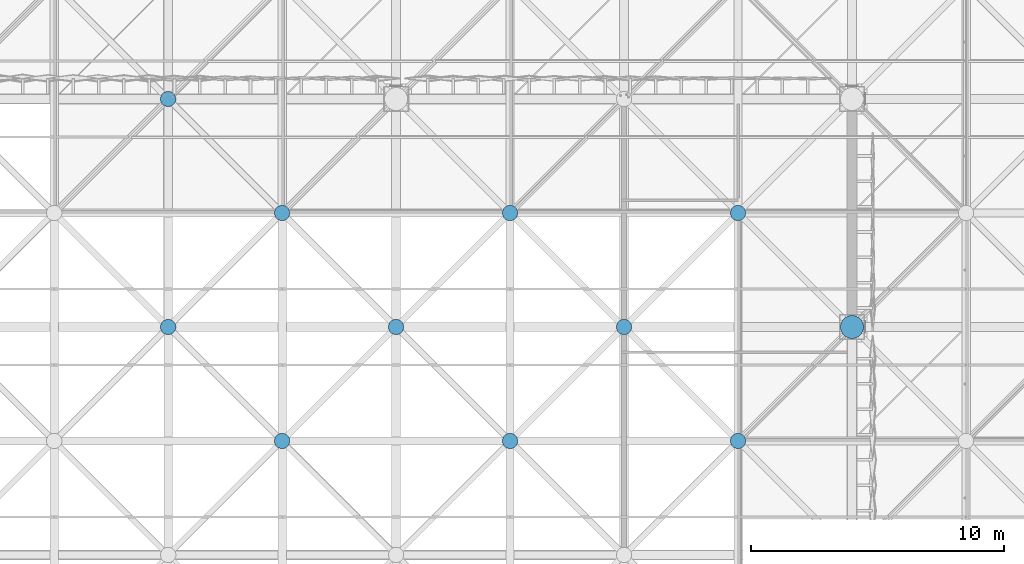
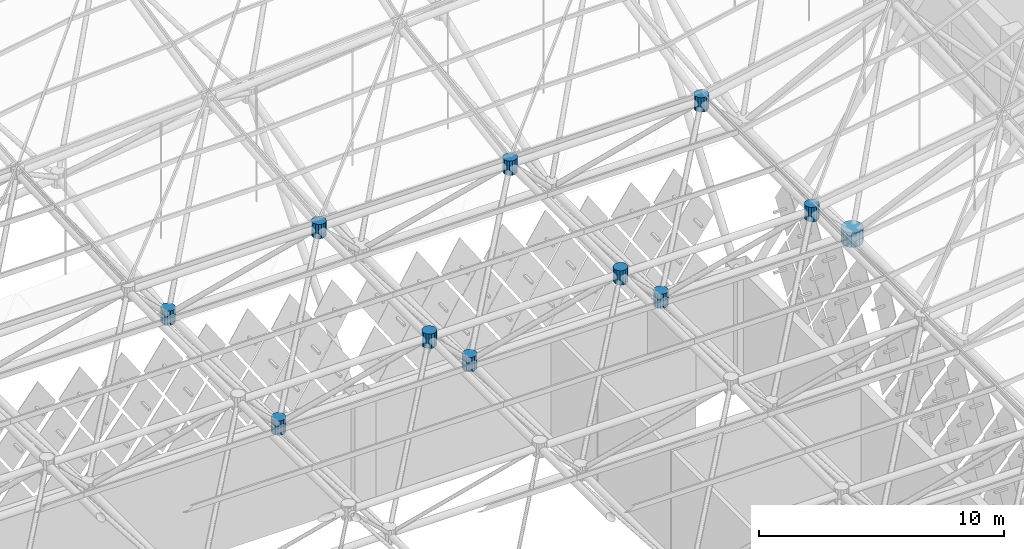
# One storey, part 331 of 437: 11 discrete accessories.
"""IFC4 building model written with IfcOpenShell, lengths in metres."""

import ifcopenshell
import ifcopenshell.guid

model = None  # the IFC model being written
_history = None  # IfcOwnerHistory: only IFC2X3 demands one
_inside = {}  # id of a spatial element -> (the spatial element, [elements in it])
_under = {}  # id of a project, library or spatial element -> (it, [spatial elements below it])
_declared = {}  # id of a project -> (the project, [libraries it declares])
_typed = {}  # id of a type object -> (the type object, [elements of that type])
_made_of = {}  # id of a material, layer set ... -> (it, [elements and type objects made of it])


def new_model(schema):
    """Start an empty IFC model of exactly this schema.

    Asked for "IFC4X3", IfcOpenShell would pick the latest addendum, in which some entities
    have other attributes; the version numbers below select the first issue.
    IFC2X3 requires an IfcOwnerHistory on every rooted entity: one is made here for all.
    """
    global model, _history
    if schema == "IFC4X3":
        model = ifcopenshell.file(schema_version=(4, 3, 0, 0))
    else:
        model = ifcopenshell.file(schema=schema)
    _inside.clear()
    _under.clear()
    _declared.clear()
    _typed.clear()
    _made_of.clear()
    _history = None
    if model.schema == "IFC2X3":
        org = make("IfcOrganization", Name="unknown")
        user = make(
            "IfcPersonAndOrganization",
            ThePerson=make("IfcPerson", FamilyName="unknown"),
            TheOrganization=org,
        )
        app = make(
            "IfcApplication",
            ApplicationDeveloper=org,
            Version="unknown",
            ApplicationFullName="unknown",
            ApplicationIdentifier="unknown",
        )
        _history = make(
            "IfcOwnerHistory",
            OwningUser=user,
            OwningApplication=app,
            ChangeAction="ADDED",
            CreationDate=0,
        )
    return model


def make(cls, **values):
    """One entity of the class cls with the attributes given. An attribute that is None is left unset."""
    return model.create_entity(
        cls, **{name: value for name, value in values.items() if value is not None}
    )


def rooted(cls, **values):
    """An entity with a GlobalId (a new one), such as an element, a storey or a relation."""
    return make(cls, GlobalId=ifcopenshell.guid.new(), OwnerHistory=_history, **values)


def si_unit(unit_type, name, prefix=None):
    """IfcSIUnit, for example si_unit("LENGTHUNIT", "METRE", prefix="MILLI")."""
    return make("IfcSIUnit", UnitType=unit_type, Prefix=prefix, Name=name)


def assignment(units):
    """IfcUnitAssignment: the units of a project."""
    return None if units is None else make("IfcUnitAssignment", Units=units)


def point(xyz):
    """IfcCartesianPoint."""
    return None if xyz is None else make("IfcCartesianPoint", Coordinates=xyz)


def direction(xyz):
    """IfcDirection."""
    return None if xyz is None else make("IfcDirection", DirectionRatios=xyz)


def frame(location, z_axis=None, x_axis=None):
    """IfcAxis2Placement3D, a coordinate frame: its origin and axes. An axis left out is left unset."""
    return make(
        "IfcAxis2Placement3D",
        Location=point(location),
        Axis=direction(z_axis),
        RefDirection=direction(x_axis),
    )


def origin():
    """The frame at (0, 0, 0) with its axes left unset."""
    return frame((0.0, 0.0, 0.0))


def place(relative_to, where):
    """IfcLocalPlacement: puts the frame where relative to a parent placement (None: the world)."""
    return make(
        "IfcLocalPlacement", PlacementRelTo=relative_to, RelativePlacement=where
    )


def context(
    kind, dimensions, precision=None, world=None, true_north=None, identifier=None
):
    """IfcGeometricRepresentationContext, for example the 3D "Model" context."""
    return make(
        "IfcGeometricRepresentationContext",
        ContextIdentifier=identifier,
        ContextType=kind,
        CoordinateSpaceDimension=dimensions,
        Precision=precision,
        WorldCoordinateSystem=world,
        TrueNorth=true_north,
    )


def subcontext(parent, identifier, kind, view, scale=None):
    """IfcGeometricRepresentationSubContext, for example "Body" below "Model"."""
    return make(
        "IfcGeometricRepresentationSubContext",
        ContextIdentifier=identifier,
        ContextType=kind,
        ParentContext=parent,
        TargetScale=scale,
        TargetView=view,
    )


def project(units=None, contexts=None):
    """IfcProject with its units and contexts."""
    return rooted(
        "IfcProject",
        Name="project",
        RepresentationContexts=contexts,
        UnitsInContext=assignment(units),
    )


def spatial(cls, under=None, at=None, **own):
    """A site, building, storey or space (cls), placed at a placement, below another one or the project."""
    s = rooted(cls, ObjectPlacement=at, **own)
    if under is not None:
        _under.setdefault(under.id(), (under, []))[1].append(s)
    return s


def polyline(points):
    """IfcPolyline through the points."""
    return make("IfcPolyline", Points=[point(p) for p in points])


def outline(outer, holes=None, kind="AREA"):
    """IfcArbitraryClosedProfileDef: a profile drawn as a closed curve; with holes, ...WithVoids."""
    if holes is None:
        return make("IfcArbitraryClosedProfileDef", ProfileType=kind, OuterCurve=outer)
    return make(
        "IfcArbitraryProfileDefWithVoids",
        ProfileType=kind,
        OuterCurve=outer,
        InnerCurves=holes,
    )


def extrude(swept, where, along, depth):
    """IfcExtrudedAreaSolid: the profile swept, set in the frame where, extruded along a direction by depth."""
    return make(
        "IfcExtrudedAreaSolid",
        SweptArea=swept,
        Position=where,
        ExtrudedDirection=direction(along),
        Depth=depth,
    )


def shape(context_of_items, identifier, shape_type, items):
    """IfcShapeRepresentation: the items that make up one representation, for example the "Body"."""
    return make(
        "IfcShapeRepresentation",
        ContextOfItems=context_of_items,
        RepresentationIdentifier=identifier,
        RepresentationType=shape_type,
        Items=items,
    )


def material(Name=None, Category=None):
    """IfcMaterial."""
    return make("IfcMaterial", Name=Name, Category=Category)


def made_of(thing, what):
    """Note that an element or type object is made of a material, layer set ...; save() writes the relation."""
    if what is not None:
        _made_of.setdefault(what.id(), (what, []))[1].append(thing)
    return thing


def type_object(cls, material=None, **own):
    """A type object (cls), such as IfcWallType, which elements share."""
    return made_of(rooted(cls, **own), material)


def element(
    cls,
    number,
    at=None,
    inside=None,
    cuts=None,
    type_object=None,
    material=None,
    context=None,
    identifier="Body",
    shape_type=None,
    held_by="IfcProductDefinitionShape",
    body=None,
    shapes=None,
    **own,
):
    """One element of the class cls, such as IfcWall. Its Tag is "e" and its number.

    at: its placement. inside: the storey or other place that contains it. cuts: it is an
    opening in that element (IfcRelVoidsElement). A single representation is given by context,
    identifier, shape_type and body (its items); several are given by shapes. held_by: the class
    of the entity that holds the representations. save() writes the other relations.
    """
    e = rooted(cls, Tag="e%d" % number, ObjectPlacement=at, **own)
    if body is not None:
        shapes = [shape(context, identifier, shape_type, body)]
    if shapes is not None:
        e.Representation = make(held_by, Representations=shapes)
    if inside is not None:
        _inside.setdefault(inside.id(), (inside, []))[1].append(e)
    if cuts is not None:
        rooted(
            "IfcRelVoidsElement", RelatingBuildingElement=cuts, RelatedOpeningElement=e
        )
    if type_object is not None:
        _typed.setdefault(type_object.id(), (type_object, []))[1].append(e)
    return made_of(e, material)


def aggregate(whole, parts):
    """IfcRelAggregates: a whole, such as a stair, and the parts it consists of."""
    return rooted("IfcRelAggregates", RelatingObject=whole, RelatedObjects=parts)


def save(model, path):
    """Write the relations noted so far, then the file.

    IfcRelAggregates (storeys below a building ...), IfcRelContainedInSpatialStructure (elements
    in a storey), IfcRelDefinesByType, IfcRelAssociatesMaterial and IfcRelDeclares: one each for
    every whole, place, type object, material and project.
    """
    for whole, parts in _under.values():
        aggregate(whole, parts)
    for where, things in _inside.values():
        rooted(
            "IfcRelContainedInSpatialStructure",
            RelatedElements=things,
            RelatingStructure=where,
        )
    for kind, things in _typed.values():
        rooted("IfcRelDefinesByType", RelatedObjects=things, RelatingType=kind)
    for what, things in _made_of.values():
        rooted("IfcRelAssociatesMaterial", RelatedObjects=things, RelatingMaterial=what)
    for by, libraries in _declared.values():
        rooted("IfcRelDeclares", RelatingContext=by, RelatedDefinitions=libraries)
    model.write(path)


model = new_model("IFC4")

# Units and contexts
model_context = context("Model", 3, precision=1e-05, world=origin(), true_north=direction((0.0, 1.0)))
body_context = subcontext(model_context, "Body", "Model", "MODEL_VIEW")
ifc_project = project(units=[si_unit("LENGTHUNIT", "METRE"), si_unit("AREAUNIT", "SQUARE_METRE"), si_unit("VOLUMEUNIT", "CUBIC_METRE"), si_unit("PLANEANGLEUNIT", "RADIAN"), si_unit("MASSUNIT", "GRAM", prefix="KILO")], contexts=[model_context])

# Site, building, storey
site_placement = place(None, origin())
site = spatial("IfcSite", under=ifc_project, at=site_placement, CompositionType="ELEMENT")
building_placement = place(site_placement, origin())
building = spatial("IfcBuilding", under=site, at=building_placement, Name="Opaline Strait Convention Centre", CompositionType="ELEMENT")
storey_placement = place(building_placement, frame((0.0, 0.0, 11.5)))
storey = spatial("IfcBuildingStorey", under=building, at=storey_placement, Name="L02", CompositionType="ELEMENT", Elevation=11.5)

# Discrete accessories
ifc_material = material(Name="Cast steel ZG300-500H (300 MPa)", Category="steel")
discrete_accessory_type_1 = type_object("IfcDiscreteAccessoryType", Name="Space frame bearing node hub D900", PredefinedType="USERDEFINED", material=ifc_material)
discrete_accessory_1_placement = place(storey_placement, frame((0.0, 0.0, 12.139892578125)))
element("IfcDiscreteAccessory", 1, at=discrete_accessory_1_placement, inside=storey, type_object=discrete_accessory_type_1, Name="Bottom node 20/12", ObjectType="NODE HUB", PredefinedType="USERDEFINED", context=body_context, shape_type="SweptSolid", body=[
    extrude(outline(polyline([(261.449951171875, 144.089599609375), (261.381591796875, 144.2548828125), (261.2548828125, 144.381591796875), (261.089599609375, 144.449951171875), (260.910400390625, 144.449951171875), (260.7451171875, 144.381591796875), (260.618408203125, 144.2548828125), (260.550048828125, 144.089599609375), (260.550048828125, 143.910400390625), (260.618408203125, 143.7451171875), (260.7451171875, 143.618408203125), (260.910400390625, 143.550048828125), (261.089599609375, 143.550048828125), (261.2548828125, 143.618408203125), (261.381591796875, 143.7451171875), (261.449951171875, 143.910400390625), (261.449951171875, 144.089599609375)])), origin(), (0.0, 0.0, 1.0), 0.72021484375),
])
discrete_accessory_type_2 = type_object("IfcDiscreteAccessoryType", Name="Space frame node hub D600", PredefinedType="USERDEFINED", material=ifc_material)
discrete_accessory_2_placement = place(storey_placement, frame((0.0, 0.0, 17.611572265625)))
element("IfcDiscreteAccessory", 2, at=discrete_accessory_2_placement, inside=storey, type_object=discrete_accessory_type_2, Name="Top node 18/12", ObjectType="NODE HUB", PredefinedType="USERDEFINED", context=body_context, shape_type="SweptSolid", body=[
    extrude(outline(polyline([(238.800048828125, 139.559814453125), (238.75439453125, 139.669921875), (238.669921875, 139.75439453125), (238.559814453125, 139.800048828125), (238.440185546875, 139.800048828125), (238.330078125, 139.75439453125), (238.24560546875, 139.669921875), (238.199951171875, 139.559814453125), (238.199951171875, 139.440185546875), (238.24560546875, 139.330078125), (238.330078125, 139.24560546875), (238.440185546875, 139.199951171875), (238.559814453125, 139.199951171875), (238.669921875, 139.24560546875), (238.75439453125, 139.330078125), (238.800048828125, 139.440185546875), (238.800048828125, 139.559814453125)])), origin(), (0.0, 0.0, 1.0), 0.719970703125),
])
discrete_accessory_3_placement = place(storey_placement, frame((0.0, 0.0, 17.611572265625)))
element("IfcDiscreteAccessory", 3, at=discrete_accessory_3_placement, inside=storey, type_object=discrete_accessory_type_2, Name="Top node 18/13", ObjectType="NODE HUB", PredefinedType="USERDEFINED", context=body_context, shape_type="SweptSolid", body=[
    extrude(outline(polyline([(238.800048828125, 148.559814453125), (238.75439453125, 148.669921875), (238.669921875, 148.75439453125), (238.559814453125, 148.800048828125), (238.440185546875, 148.800048828125), (238.330078125, 148.75439453125), (238.24560546875, 148.669921875), (238.199951171875, 148.559814453125), (238.199951171875, 148.440185546875), (238.24560546875, 148.330078125), (238.330078125, 148.24560546875), (238.440185546875, 148.199951171875), (238.559814453125, 148.199951171875), (238.669921875, 148.24560546875), (238.75439453125, 148.330078125), (238.800048828125, 148.440185546875), (238.800048828125, 148.559814453125)])), origin(), (0.0, 0.0, 1.0), 0.719970703125),
])
discrete_accessory_4_placement = place(storey_placement, frame((0.0, 0.0, 17.611572265625)))
element("IfcDiscreteAccessory", 4, at=discrete_accessory_4_placement, inside=storey, type_object=discrete_accessory_type_2, Name="Top node 19/12", ObjectType="NODE HUB", PredefinedType="USERDEFINED", context=body_context, shape_type="SweptSolid", body=[
    extrude(outline(polyline([(247.800048828125, 139.559814453125), (247.75439453125, 139.669921875), (247.669921875, 139.75439453125), (247.559814453125, 139.800048828125), (247.440185546875, 139.800048828125), (247.330078125, 139.75439453125), (247.24560546875, 139.669921875), (247.199951171875, 139.559814453125), (247.199951171875, 139.440185546875), (247.24560546875, 139.330078125), (247.330078125, 139.24560546875), (247.440185546875, 139.199951171875), (247.559814453125, 139.199951171875), (247.669921875, 139.24560546875), (247.75439453125, 139.330078125), (247.800048828125, 139.440185546875), (247.800048828125, 139.559814453125)])), origin(), (0.0, 0.0, 1.0), 0.719970703125),
])
discrete_accessory_5_placement = place(storey_placement, frame((0.0, 0.0, 17.611572265625)))
element("IfcDiscreteAccessory", 5, at=discrete_accessory_5_placement, inside=storey, type_object=discrete_accessory_type_2, Name="Top node 19/13", ObjectType="NODE HUB", PredefinedType="USERDEFINED", context=body_context, shape_type="SweptSolid", body=[
    extrude(outline(polyline([(247.800048828125, 148.559814453125), (247.75439453125, 148.669921875), (247.669921875, 148.75439453125), (247.559814453125, 148.800048828125), (247.440185546875, 148.800048828125), (247.330078125, 148.75439453125), (247.24560546875, 148.669921875), (247.199951171875, 148.559814453125), (247.199951171875, 148.440185546875), (247.24560546875, 148.330078125), (247.330078125, 148.24560546875), (247.440185546875, 148.199951171875), (247.559814453125, 148.199951171875), (247.669921875, 148.24560546875), (247.75439453125, 148.330078125), (247.800048828125, 148.440185546875), (247.800048828125, 148.559814453125)])), origin(), (0.0, 0.0, 1.0), 0.719970703125),
])
discrete_accessory_6_placement = place(storey_placement, frame((0.0, 0.0, 17.611572265625)))
element("IfcDiscreteAccessory", 6, at=discrete_accessory_6_placement, inside=storey, type_object=discrete_accessory_type_2, Name="Top node 20/12", ObjectType="NODE HUB", PredefinedType="USERDEFINED", context=body_context, shape_type="SweptSolid", body=[
    extrude(outline(polyline([(256.800048828125, 139.559814453125), (256.75439453125, 139.669921875), (256.669921875, 139.75439453125), (256.559814453125, 139.800048828125), (256.440185546875, 139.800048828125), (256.330078125, 139.75439453125), (256.24560546875, 139.669921875), (256.199951171875, 139.559814453125), (256.199951171875, 139.440185546875), (256.24560546875, 139.330078125), (256.330078125, 139.24560546875), (256.440185546875, 139.199951171875), (256.559814453125, 139.199951171875), (256.669921875, 139.24560546875), (256.75439453125, 139.330078125), (256.800048828125, 139.440185546875), (256.800048828125, 139.559814453125)])), origin(), (0.0, 0.0, 1.0), 0.719970703125),
])
discrete_accessory_7_placement = place(storey_placement, frame((0.0, 0.0, 17.611572265625)))
element("IfcDiscreteAccessory", 7, at=discrete_accessory_7_placement, inside=storey, type_object=discrete_accessory_type_2, Name="Top node 20/13", ObjectType="NODE HUB", PredefinedType="USERDEFINED", context=body_context, shape_type="SweptSolid", body=[
    extrude(outline(polyline([(256.800048828125, 148.559814453125), (256.75439453125, 148.669921875), (256.669921875, 148.75439453125), (256.559814453125, 148.800048828125), (256.440185546875, 148.800048828125), (256.330078125, 148.75439453125), (256.24560546875, 148.669921875), (256.199951171875, 148.559814453125), (256.199951171875, 148.440185546875), (256.24560546875, 148.330078125), (256.330078125, 148.24560546875), (256.440185546875, 148.199951171875), (256.559814453125, 148.199951171875), (256.669921875, 148.24560546875), (256.75439453125, 148.330078125), (256.800048828125, 148.440185546875), (256.800048828125, 148.559814453125)])), origin(), (0.0, 0.0, 1.0), 0.719970703125),
])
discrete_accessory_8_placement = place(storey_placement, frame((0.0, 0.0, 12.139892578125)))
element("IfcDiscreteAccessory", 8, at=discrete_accessory_8_placement, inside=storey, type_object=discrete_accessory_type_2, Name="Bottom node 17/12", ObjectType="NODE HUB", PredefinedType="USERDEFINED", context=body_context, shape_type="SweptSolid", body=[
    extrude(outline(polyline([(234.300048828125, 144.059814453125), (234.25439453125, 144.169921875), (234.169921875, 144.25439453125), (234.059814453125, 144.300048828125), (233.940185546875, 144.300048828125), (233.830078125, 144.25439453125), (233.74560546875, 144.169921875), (233.699951171875, 144.059814453125), (233.699951171875, 143.940185546875), (233.74560546875, 143.830078125), (233.830078125, 143.74560546875), (233.940185546875, 143.699951171875), (234.059814453125, 143.699951171875), (234.169921875, 143.74560546875), (234.25439453125, 143.830078125), (234.300048828125, 143.940185546875), (234.300048828125, 144.059814453125)])), origin(), (0.0, 0.0, 1.0), 0.72021484375),
])
discrete_accessory_9_placement = place(storey_placement, frame((0.0, 0.0, 12.139892578125)))
element("IfcDiscreteAccessory", 9, at=discrete_accessory_9_placement, inside=storey, type_object=discrete_accessory_type_2, Name="Bottom node 17/13", ObjectType="NODE HUB", PredefinedType="USERDEFINED", context=body_context, shape_type="SweptSolid", body=[
    extrude(outline(polyline([(234.300048828125, 153.059814453125), (234.25439453125, 153.169921875), (234.169921875, 153.25439453125), (234.059814453125, 153.300048828125), (233.940185546875, 153.300048828125), (233.830078125, 153.25439453125), (233.74560546875, 153.169921875), (233.699951171875, 153.059814453125), (233.699951171875, 152.940185546875), (233.74560546875, 152.830078125), (233.830078125, 152.74560546875), (233.940185546875, 152.699951171875), (234.059814453125, 152.699951171875), (234.169921875, 152.74560546875), (234.25439453125, 152.830078125), (234.300048828125, 152.940185546875), (234.300048828125, 153.059814453125)])), origin(), (0.0, 0.0, 1.0), 0.72021484375),
])
discrete_accessory_10_placement = place(storey_placement, frame((0.0, 0.0, 12.139892578125)))
element("IfcDiscreteAccessory", 10, at=discrete_accessory_10_placement, inside=storey, type_object=discrete_accessory_type_2, Name="Bottom node 18/12", ObjectType="NODE HUB", PredefinedType="USERDEFINED", context=body_context, shape_type="SweptSolid", body=[
    extrude(outline(polyline([(243.300048828125, 144.059814453125), (243.25439453125, 144.169921875), (243.169921875, 144.25439453125), (243.059814453125, 144.300048828125), (242.940185546875, 144.300048828125), (242.830078125, 144.25439453125), (242.74560546875, 144.169921875), (242.699951171875, 144.059814453125), (242.699951171875, 143.940185546875), (242.74560546875, 143.830078125), (242.830078125, 143.74560546875), (242.940185546875, 143.699951171875), (243.059814453125, 143.699951171875), (243.169921875, 143.74560546875), (243.25439453125, 143.830078125), (243.300048828125, 143.940185546875), (243.300048828125, 144.059814453125)])), origin(), (0.0, 0.0, 1.0), 0.72021484375),
])
discrete_accessory_11_placement = place(storey_placement, frame((0.0, 0.0, 12.139892578125)))
element("IfcDiscreteAccessory", 11, at=discrete_accessory_11_placement, inside=storey, type_object=discrete_accessory_type_2, Name="Bottom node 19/12", ObjectType="NODE HUB", PredefinedType="USERDEFINED", context=body_context, shape_type="SweptSolid", body=[
    extrude(outline(polyline([(252.300048828125, 144.059814453125), (252.25439453125, 144.169921875), (252.169921875, 144.25439453125), (252.059814453125, 144.300048828125), (251.940185546875, 144.300048828125), (251.830078125, 144.25439453125), (251.74560546875, 144.169921875), (251.699951171875, 144.059814453125), (251.699951171875, 143.940185546875), (251.74560546875, 143.830078125), (251.830078125, 143.74560546875), (251.940185546875, 143.699951171875), (252.059814453125, 143.699951171875), (252.169921875, 143.74560546875), (252.25439453125, 143.830078125), (252.300048828125, 143.940185546875), (252.300048828125, 144.059814453125)])), origin(), (0.0, 0.0, 1.0), 0.72021484375),
])

save(model, "model.ifc")
